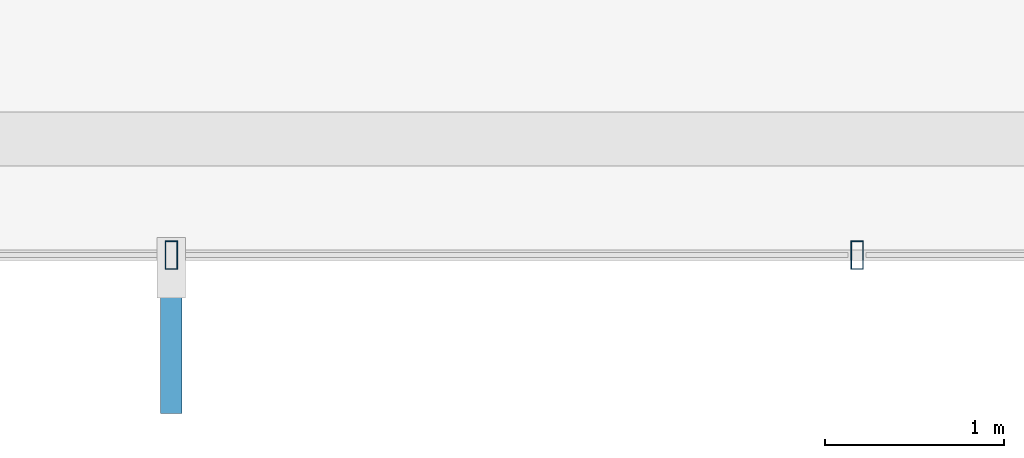
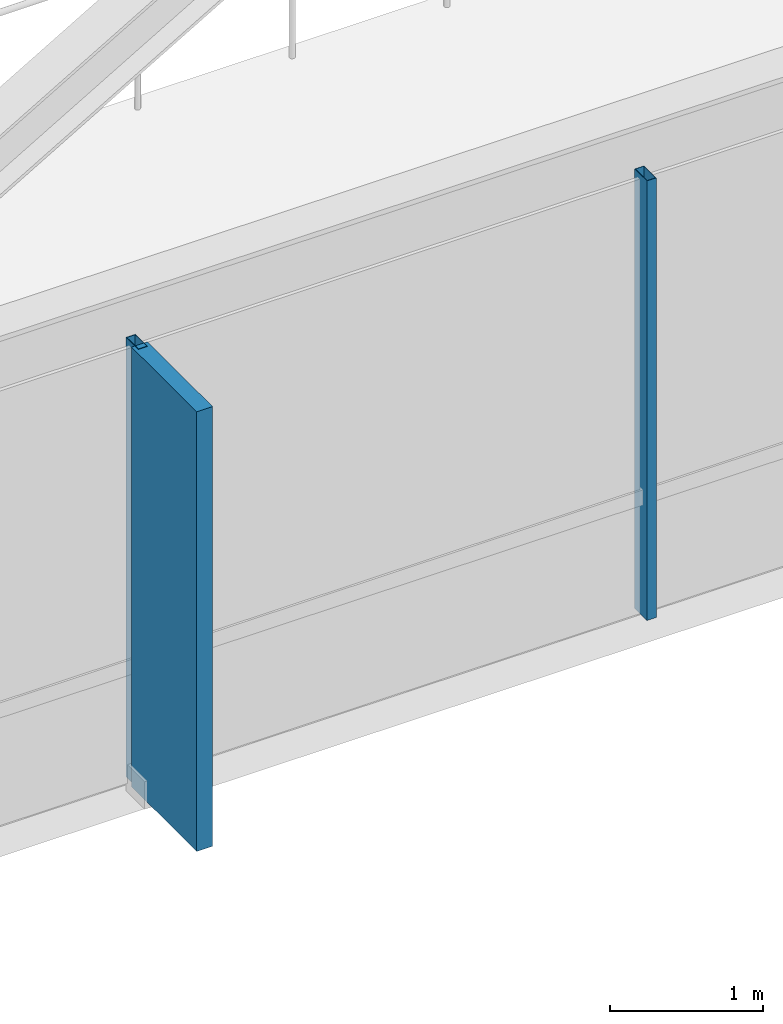
# One storey, part 6 of 28: 3 members, 1 element without a shape of its own.
"""IFC4 building model written with IfcOpenShell, lengths in metres."""

from ifc_helpers import new_model, si_unit, direction, frame, origin, origin_2d, place, context, subcontext, project, spatial, rectangle, hollow_rectangle, extrude, material, layer, layer_set, material_profile, profile_set, type_object, element, aggregate, save


model = new_model("IFC4")

# Units and contexts
model_context = context("Model", 3, precision=1e-05, world=origin(), true_north=direction((0.0, 1.0)))
body_context = subcontext(model_context, "Body", "Model", "MODEL_VIEW")
ifc_project = project(units=[si_unit("LENGTHUNIT", "METRE"), si_unit("AREAUNIT", "SQUARE_METRE"), si_unit("VOLUMEUNIT", "CUBIC_METRE"), si_unit("PLANEANGLEUNIT", "RADIAN"), si_unit("MASSUNIT", "GRAM", prefix="KILO")], contexts=[model_context])

# Site, building, storey
site_placement = place(None, origin())
site = spatial("IfcSite", under=ifc_project, at=site_placement, CompositionType="ELEMENT")
building_placement = place(site_placement, origin())
building = spatial("IfcBuilding", under=site, at=building_placement, Name="Zarrinselat Tower", CompositionType="ELEMENT")
storey_placement = place(building_placement, frame((0.0, 0.0, 168.300048828125)))
storey = spatial("IfcBuildingStorey", under=building, at=storey_placement, Name="L41", CompositionType="ELEMENT", Elevation=168.300048828125)

# Curtain wall, members
ifc_material_1 = material(Name="Extruded Aluminium Alloy EN AW-6063 T6", Category="aluminium")
ifc_layer = layer(ifc_material_1, 0.175048828125)
ifc_layer_set = layer_set([ifc_layer], Name="Extruded Aluminium Alloy EN AW-6063 T6")
curtain_wall_type = type_object("IfcCurtainWallType", Name="CWS-HTL", PredefinedType="NOTDEFINED", material=ifc_layer_set)
curtain_wall_placement = place(storey_placement, origin())
curtain_wall = element("IfcCurtainWall", 1, at=curtain_wall_placement, inside=storey, type_object=curtain_wall_type, Name="L41 Unitised Curtain Wall CW-L41-E04", PredefinedType="NOTDEFINED")
ifc_material_2 = material(Name="Extruded Aluminium Alloy EN AW-6063 T6", Category="aluminium")
ifc_material_profile_1 = material_profile(ifc_material_2, hollow_rectangle(XDim=0.070068359375, YDim=0.159912109375, WallThickness=0.00390625, at=origin_2d()), Name="RHS 160x70x4")
ifc_profile_set_1 = profile_set([ifc_material_profile_1], Name="Extruded Aluminium Alloy EN AW-6063 T6")
member_type_1 = type_object("IfcMemberType", Name="MEM-CW-MUL2", PredefinedType="MULLION", material=ifc_profile_set_1)
member_1_placement = place(storey_placement, frame((34.56884765625, 17.6533203125, 0.0), z_axis=(0.0, 0.0, 1.0), x_axis=(1.0, 0.0, 0.0)))
member_1 = element("IfcMember", 2, at=member_1_placement, type_object=member_type_1, Name="CW-L41-E04 Mullion 1", PredefinedType="MULLION", context=body_context, shape_type="SweptSolid", body=[
    extrude(hollow_rectangle(XDim=0.070068359375, YDim=0.159912109375, WallThickness=0.00390625, at=origin_2d()), origin(), (0.0, 0.0, 1.0), 3.5),
])
member_2_placement = place(storey_placement, frame((38.39990234375, 17.6533203125, 0.0), z_axis=(0.0, 0.0, 1.0), x_axis=(1.0, 0.0, 0.0)))
member_2 = element("IfcMember", 3, at=member_2_placement, type_object=member_type_1, Name="CW-L41-E04 Mullion 2", PredefinedType="MULLION", context=body_context, shape_type="SweptSolid", body=[
    extrude(hollow_rectangle(XDim=0.070068359375, YDim=0.159912109375, WallThickness=0.00390625, at=origin_2d()), origin(), (0.0, 0.0, 1.0), 3.5),
])
ifc_material_3 = material(Name="Honed Cream Travertine Stone", Category="masonry")
ifc_material_profile_2 = material_profile(ifc_material_3, rectangle(XDim=0.1201171875, YDim=0.85009765625, at=origin_2d()), Name="FIN 850x120")
ifc_profile_set_2 = profile_set([ifc_material_profile_2], Name="Honed Cream Travertine Stone")
member_type_2 = type_object("IfcMemberType", Name="MEM-STONE-FIN", PredefinedType="USERDEFINED", material=ifc_profile_set_2)
member_3_placement = place(storey_placement, frame((34.56884765625, 17.193359375, 0.0), z_axis=(0.0, 0.0, 1.0), x_axis=(-1.0, 0.0, 0.0)))
member_3 = element("IfcMember", 4, at=member_3_placement, type_object=member_type_2, Name="L41 Stone Shading Fin CW-L41-E04-01", ObjectType="FIN", PredefinedType="USERDEFINED", context=body_context, shape_type="SweptSolid", body=[
    extrude(rectangle(XDim=0.1201171875, YDim=0.85009765625, at=origin_2d()), origin(), (0.0, 0.0, 1.0), 3.5),
])
aggregate(curtain_wall, [member_1, member_3, member_2])

save(model, "model.ifc")
